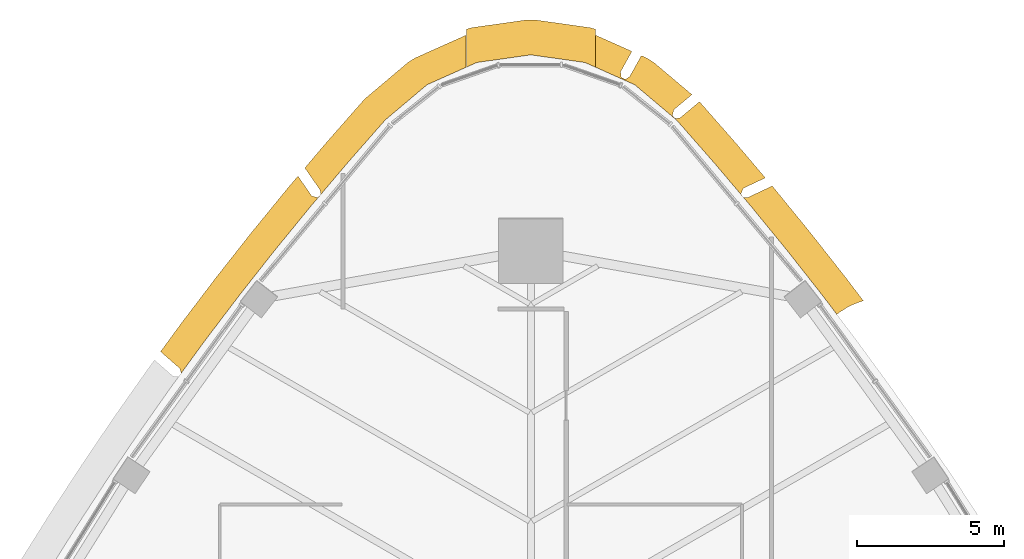
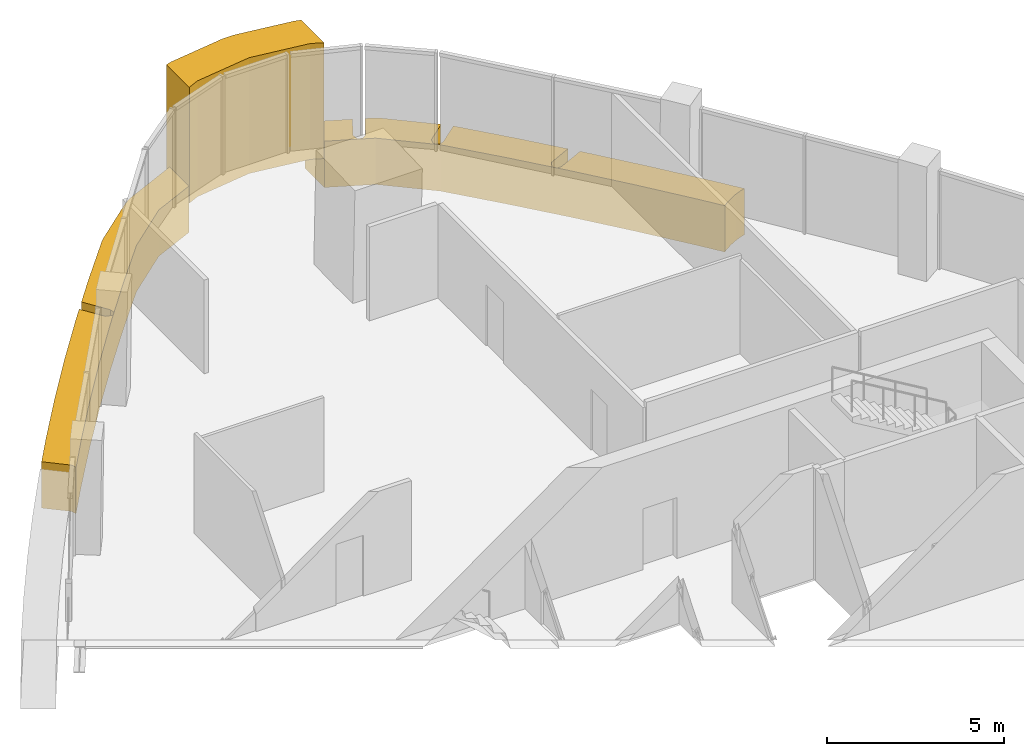
# One storey, part 14 of 15: 3 coverings.
"""IFC4 building model written with IfcOpenShell, lengths in metres."""

from ifc_helpers import new_model, si_unit, direction, frame, origin, place, context, subcontext, project, spatial, polyline, outline, extrude, material, layer, layer_set, type_object, element, save


model = new_model("IFC4")

# Units and contexts
model_context = context("Model", 3, precision=1e-05, world=origin(), true_north=direction((0.0, 1.0)))
body_context = subcontext(model_context, "Body", "Model", "MODEL_VIEW")
ifc_project = project(units=[si_unit("LENGTHUNIT", "METRE"), si_unit("AREAUNIT", "SQUARE_METRE"), si_unit("VOLUMEUNIT", "CUBIC_METRE"), si_unit("PLANEANGLEUNIT", "RADIAN"), si_unit("MASSUNIT", "GRAM", prefix="KILO")], contexts=[model_context])

# Site, building, storey
site_placement = place(None, origin())
site = spatial("IfcSite", under=ifc_project, at=site_placement, CompositionType="ELEMENT")
building_placement = place(site_placement, origin())
building = spatial("IfcBuilding", under=site, at=building_placement, Name="Sierra Prisma Convention Tower", CompositionType="ELEMENT")
storey_placement = place(building_placement, frame((0.0, 0.0, 283.0)))
storey = spatial("IfcBuildingStorey", under=building, at=storey_placement, Name="L64", CompositionType="ELEMENT", Elevation=283.0)

# Coverings
ifc_material_1 = material(Name="Aluminium composite bronze anodised", Category="aluminium")
ifc_layer_1 = layer(ifc_material_1, 1.199951171875)
ifc_layer_set_1 = layer_set([ifc_layer_1], Name="Bronze corner pier")
covering_type_1 = type_object("IfcCoveringType", Name="Bronze corner pier", PredefinedType="CLADDING", material=ifc_layer_set_1)
covering_1_placement = place(storey_placement, frame((0.0, 0.0, -0.60009765625)))
element("IfcCovering", 1, at=covering_1_placement, inside=storey, type_object=covering_type_1, Name="Corner pier N L64.1", PredefinedType="CLADDING", context=body_context, shape_type="SweptSolid", body=[
    extrude(outline(polyline([(2.199951171875, 30.30615234375), (1.841796875, 30.46630859375), (0.0, 30.72607421875), (-1.841796875, 30.46630859375), (-2.199951171875, 30.30615234375), (-2.199951171875, 31.599609375), (-2.009521484375, 31.654541015625), (-0.16748046875, 31.914306640625), (0.16748046875, 31.914306640625), (2.009521484375, 31.654541015625), (2.199951171875, 31.599609375), (2.199951171875, 30.30615234375)])), origin(), (0.0, 0.0, 1.0), 4.0),
])
ifc_material_2 = material(Name="Aluminium composite bronze anodised", Category="aluminium")
ifc_layer_2 = layer(ifc_material_2, 1.0)
ifc_layer_set_2 = layer_set([ifc_layer_2], Name="Bronze spandrel band")
covering_type_2 = type_object("IfcCoveringType", Name="Bronze spandrel band", PredefinedType="CLADDING", material=ifc_layer_set_2)
covering_2_placement = place(storey_placement, frame((0.0, 0.0, -1.60009765625)))
element("IfcCovering", 2, at=covering_2_placement, inside=storey, type_object=covering_type_2, Name="Spandrel band L64.4", PredefinedType="CLADDING", context=body_context, shape_type="SweptSolid", body=[
    extrude(outline(polyline([(-8.265380859375, 26.208984375), (-7.936767578125, 26.596923828125), (-7.476318359375, 25.932861328125), (-7.473388671875, 25.9287109375), (-7.469970703125, 25.92529296875), (-7.46630859375, 25.921875), (-7.462158203125, 25.919189453125), (-7.4580078125, 25.91650390625), (-7.453369140625, 25.91455078125), (-7.448486328125, 25.9130859375), (-7.28662109375, 25.868408203125), (-7.281982421875, 25.867431640625), (-7.27734375, 25.866943359375), (-7.272705078125, 25.86669921875), (-7.267822265625, 25.8671875), (-7.26318359375, 25.867919921875), (-7.258544921875, 25.868896484375), (-7.254150390625, 25.87060546875), (-7.25, 25.87255859375), (-7.245849609375, 25.875), (-7.241943359375, 25.877685546875), (-7.23828125, 25.881103515625), (-7.235107421875, 25.884521484375), (-7.170654296875, 25.960693359375), (-7.16748046875, 25.964599609375), (-7.1650390625, 25.968994140625), (-7.162841796875, 25.973388671875), (-7.1611328125, 25.97802734375), (-7.159912109375, 25.98291015625), (-7.158935546875, 25.98779296875), (-7.15869140625, 25.99267578125), (-7.158935546875, 25.99755859375), (-7.15966796875, 26.00244140625), (-7.180908203125, 26.113037109375), (-7.181884765625, 26.1181640625), (-7.183837890625, 26.123046875), (-7.18603515625, 26.127685546875), (-7.188720703125, 26.132080078125), (-7.70263671875, 26.873291015625), (-7.008056640625, 27.69287109375), (-6.996337890625, 27.70654296875), (-5.712890625, 29.16748046875), (-5.6064453125, 29.271728515625), (-4.184814453125, 30.47119140625), (-3.947998046875, 30.619873046875), (-2.25, 31.379150390625), (-2.2099609375, 31.390625), (-2.2099609375, 30.301513671875), (-3.539794921875, 29.706787109375), (-4.96142578125, 28.507568359375), (-6.2451171875, 27.04638671875), (-7.50244140625, 25.562744140625), (-8.73291015625, 24.056640625), (-9.93603515625, 22.528564453125), (-11.111572265625, 20.9794921875), (-11.92041015625, 19.872802734375), (-11.919189453125, 19.8759765625), (-11.917724609375, 19.880615234375), (-11.916748046875, 19.885498046875), (-11.91650390625, 19.890380859375), (-11.91650390625, 19.89501953125), (-11.9169921875, 19.89990234375), (-11.917724609375, 19.90478515625), (-11.919189453125, 19.909423828125), (-11.96337890625, 20.033935546875), (-11.96533203125, 20.038818359375), (-11.9677734375, 20.043212890625), (-11.970703125, 20.04736328125), (-11.973876953125, 20.05126953125), (-11.9775390625, 20.054931640625), (-12.6171875, 20.6142578125), (-11.9189453125, 21.569580078125), (-11.908203125, 21.583984375), (-10.732666015625, 23.133056640625), (-10.7216796875, 23.147216796875), (-9.518310546875, 24.67529296875), (-9.507080078125, 24.689208984375), (-8.27685546875, 26.1953125), (-8.265380859375, 26.208984375)])), origin(), (0.0, 0.0, 1.0), 1.60009765625),
])
covering_3_placement = place(storey_placement, frame((0.0, 0.0, -1.60009765625)))
element("IfcCovering", 3, at=covering_3_placement, inside=storey, type_object=covering_type_2, Name="Spandrel band L64.5", PredefinedType="CLADDING", context=body_context, shape_type="SweptSolid", body=[
    extrude(outline(polyline([(3.06494140625, 30.164794921875), (3.062744140625, 30.160400390625), (3.060791015625, 30.155517578125), (3.059814453125, 30.150634765625), (3.058837890625, 30.145751953125), (3.05859375, 30.140625), (3.058837890625, 30.135498046875), (3.073486328125, 29.985595703125), (3.07421875, 29.98095703125), (3.0751953125, 29.976318359375), (3.076904296875, 29.9716796875), (3.078857421875, 29.967529296875), (3.081298828125, 29.96337890625), (3.083984375, 29.95947265625), (3.087158203125, 29.955810546875), (3.0908203125, 29.95263671875), (3.094482421875, 29.94970703125), (3.098388671875, 29.947021484375), (3.102783203125, 29.94482421875), (3.194091796875, 29.904052734375), (3.198486328125, 29.90234375), (3.203369140625, 29.90087890625), (3.2080078125, 29.900146484375), (3.212890625, 29.899658203125), (3.2177734375, 29.89990234375), (3.22265625, 29.900390625), (3.227294921875, 29.9013671875), (3.23193359375, 29.90283203125), (3.236328125, 29.90478515625), (3.24072265625, 29.906982421875), (3.353271484375, 29.976318359375), (3.357421875, 29.979248046875), (3.361328125, 29.982421875), (3.364990234375, 29.986083984375), (3.367919921875, 29.990234375), (3.37060546875, 29.99462890625), (3.764404296875, 30.701904296875), (3.947998046875, 30.619873046875), (4.184814453125, 30.47119140625), (5.487548828125, 29.3720703125), (4.87939453125, 28.86474609375), (4.8759765625, 28.861572265625), (4.872802734375, 28.858154296875), (4.8701171875, 28.8544921875), (4.86767578125, 28.8505859375), (4.865478515625, 28.84619140625), (4.864013671875, 28.842041015625), (4.86279296875, 28.83740234375), (4.8271484375, 28.68212890625), (4.826416015625, 28.67724609375), (4.825927734375, 28.672119140625), (4.825927734375, 28.667236328125), (4.82666015625, 28.662353515625), (4.82763671875, 28.657470703125), (4.829345703125, 28.652587890625), (4.831298828125, 28.648193359375), (4.833740234375, 28.643798828125), (4.836669921875, 28.639892578125), (4.840087890625, 28.635986328125), (4.843505859375, 28.6328125), (4.920166015625, 28.568115234375), (4.92431640625, 28.565185546875), (4.9287109375, 28.5625), (4.933349609375, 28.560302734375), (4.938232421875, 28.55859375), (4.943115234375, 28.557373046875), (4.9482421875, 28.556640625), (4.95361328125, 28.556396484375), (4.95849609375, 28.556884765625), (4.963623046875, 28.557861328125), (5.0830078125, 28.585693359375), (5.08740234375, 28.5869140625), (5.091796875, 28.588623046875), (5.095947265625, 28.5908203125), (5.099853515625, 28.59326171875), (5.103515625, 28.595947265625), (5.744873046875, 29.131103515625), (6.996337890625, 27.70654296875), (7.008056640625, 27.69287109375), (7.98876953125, 26.53564453125), (7.2578125, 26.190673828125), (7.25341796875, 26.1884765625), (7.24951171875, 26.185546875), (7.24560546875, 26.1826171875), (7.2421875, 26.178955078125), (7.239013671875, 26.175048828125), (7.236083984375, 26.1708984375), (7.23388671875, 26.16650390625), (7.163330078125, 26.01416015625), (7.16162109375, 26.009765625), (7.16015625, 26.005126953125), (7.1591796875, 26.00048828125), (7.15869140625, 25.995849609375), (7.15869140625, 25.9912109375), (7.1591796875, 25.986328125), (7.159912109375, 25.981689453125), (7.161376953125, 25.97705078125), (7.1630859375, 25.97265625), (7.165283203125, 25.968505859375), (7.167724609375, 25.964599609375), (7.170654296875, 25.960693359375), (7.235107421875, 25.884521484375), (7.238525390625, 25.880859375), (7.2421875, 25.877685546875), (7.246337890625, 25.874755859375), (7.25048828125, 25.872314453125), (7.255126953125, 25.8701171875), (7.260009765625, 25.86865234375), (7.2646484375, 25.867431640625), (7.26953125, 25.866943359375), (7.274658203125, 25.86669921875), (7.38720703125, 25.869384765625), (7.392333984375, 25.869873046875), (7.3974609375, 25.870849609375), (7.402587890625, 25.872314453125), (7.4072265625, 25.874267578125), (8.222900390625, 26.25927734375), (8.265380859375, 26.208984375), (8.27685546875, 26.1953125), (9.507080078125, 24.689208984375), (9.518310546875, 24.67529296875), (10.7216796875, 23.147216796875), (10.732666015625, 23.133056640625), (11.330810546875, 22.344970703125), (11.1826171875, 22.3017578125), (10.953857421875, 22.209716796875), (10.735107421875, 22.095703125), (10.528564453125, 21.961181640625), (10.424072265625, 21.885498046875), (9.93603515625, 22.528564453125), (8.73291015625, 24.056640625), (7.50244140625, 25.562744140625), (6.2451171875, 27.04638671875), (4.96142578125, 28.507568359375), (3.539794921875, 29.706787109375), (2.2099609375, 30.301513671875), (2.2099609375, 31.390625), (2.25, 31.379150390625), (3.443603515625, 30.845458984375), (3.06494140625, 30.164794921875)])), origin(), (0.0, 0.0, 1.0), 1.60009765625),
])

save(model, "model.ifc")
